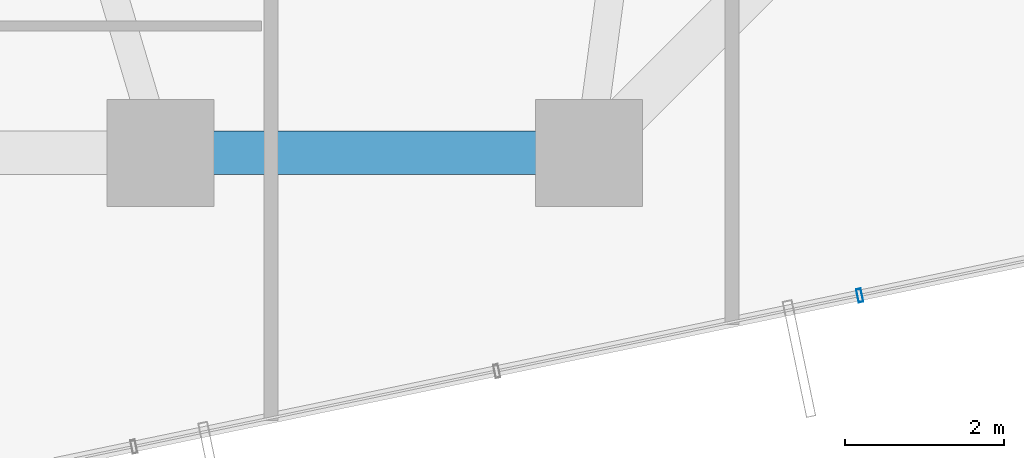
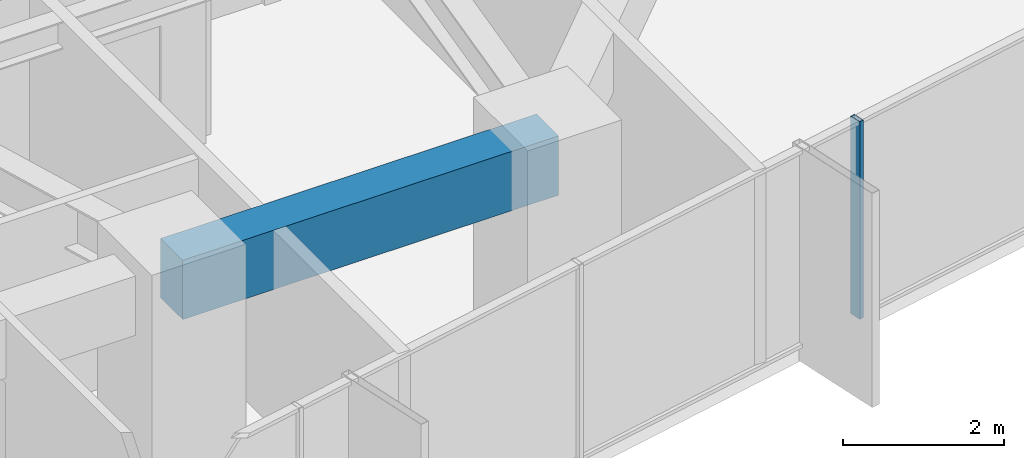
# One storey, part 8 of 38: 1 beam, 1 member, 1 element without a shape of its own.
"""IFC4 building model written with IfcOpenShell, lengths in metres."""

from ifc_helpers import new_model, si_unit, direction, frame, origin, origin_2d, place, context, subcontext, project, spatial, rectangle, hollow_rectangle, extrude, source, transform, mapped, material, layer, layer_set, material_profile, profile_set, type_object, element, aggregate, save


model = new_model("IFC4")

# Units and contexts
model_context = context("Model", 3, precision=1e-05, world=origin(), true_north=direction((0.0, 1.0)))
body_context = subcontext(model_context, "Body", "Model", "MODEL_VIEW")
ifc_project = project(units=[si_unit("LENGTHUNIT", "METRE"), si_unit("AREAUNIT", "SQUARE_METRE"), si_unit("VOLUMEUNIT", "CUBIC_METRE"), si_unit("PLANEANGLEUNIT", "RADIAN"), si_unit("MASSUNIT", "GRAM", prefix="KILO")], contexts=[model_context])

# Site, building, storey
site_placement = place(None, origin())
site = spatial("IfcSite", under=ifc_project, at=site_placement, CompositionType="ELEMENT")
building_placement = place(site_placement, origin())
building = spatial("IfcBuilding", under=site, at=building_placement, Name="Veraguas Prism Commons", CompositionType="ELEMENT")
storey_placement = place(building_placement, frame((0.0, 0.0, 64.10009765625)))
storey = spatial("IfcBuildingStorey", under=building, at=storey_placement, Name="L17", CompositionType="ELEMENT", Elevation=64.10009765625)

# Beam
ifc_material_1 = material(Name="Concrete C50/60", Category="concrete")
ifc_material_profile_1 = material_profile(ifc_material_1, rectangle(XDim=0.550048828125, YDim=0.89990234375, at=origin_2d()), Name="RC550X900")
ifc_profile_set_1 = profile_set([ifc_material_profile_1], Name="Concrete C50/60")
beam_type = type_object("IfcBeamType", Name="Perimeter Spandrel Lower RC 550x900", PredefinedType="SPANDREL", material=ifc_profile_set_1)
beam_placement = place(storey_placement, frame((24.0, 6.39990234375, 2.5498046875), z_axis=(1.0, 0.0, 0.0), x_axis=(0.0, 1.0, 0.0)))
element("IfcBeam", 1, at=beam_placement, inside=storey, type_object=beam_type, Name="Perimeter Spandrel Beam L17-SP11", PredefinedType="SPANDREL", context=body_context, shape_type="SweptSolid", body=[
    extrude(rectangle(XDim=0.550048828125, YDim=0.89990234375, at=origin_2d()), origin(), (0.0, 0.0, 1.0), 5.39990234375),
])

# Curtain wall, member
ifc_material_2 = material(Name="Anodised aluminium EN AW-6063 T6", Category="aluminium")
ifc_layer = layer(ifc_material_2, 0.169921875, Name="Unitised Flush Curtain Wall Zone 1", Category="aluminium")
ifc_layer_set = layer_set([ifc_layer], Name="Anodised aluminium EN AW-6063 T6")
curtain_wall_type = type_object("IfcCurtainWallType", Name="Unitised Flush Curtain Wall Zone 1", PredefinedType="NOTDEFINED", material=ifc_layer_set)
curtain_wall_placement = place(storey_placement, origin())
curtain_wall = element("IfcCurtainWall", 2, at=curtain_wall_placement, inside=storey, type_object=curtain_wall_type, Name="Tower Facade Curtain Wall L17-F5", PredefinedType="NOTDEFINED")
ifc_material_profile_2 = material_profile(ifc_material_2, hollow_rectangle(XDim=0.06005859375, YDim=0.169921875, WallThickness=0.00390625, at=origin_2d()), Name="AL60X170X4")
ifc_profile_set_2 = profile_set([ifc_material_profile_2], Name="Anodised aluminium EN AW-6063 T6")
member_type = type_object("IfcMemberType", Name="Curtain Wall Mullion Lower AL 60x170x4", PredefinedType="MULLION", material=ifc_profile_set_2)
shared_shape = source(origin(), body_context, "Body", "SweptSolid", [
    extrude(hollow_rectangle(XDim=0.06005859375, YDim=0.169921875, WallThickness=0.00390625, at=origin_2d()), origin(), (0.0, 0.0, 1.0), 3.0),
])
member_placement = place(storey_placement, frame((32.80908203125, 4.603759765625, 0.0), z_axis=(0.0, 0.0, 1.0), x_axis=(0.979008848209, 0.203817749789, 0.0)))
member = element("IfcMember", 3, at=member_placement, type_object=member_type, Name="CW-Z1 Mullion 4", PredefinedType="MULLION", context=body_context, shape_type="MappedRepresentation", body=[
    mapped(shared_shape, transform((0.0, 0.0, 0.0), scale=1.0)),
])
aggregate(curtain_wall, [member])

save(model, "model.ifc")
